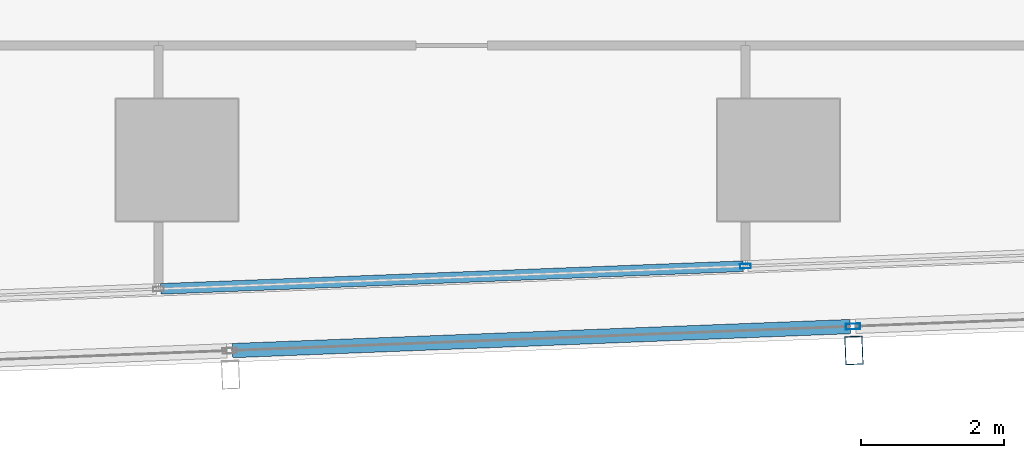
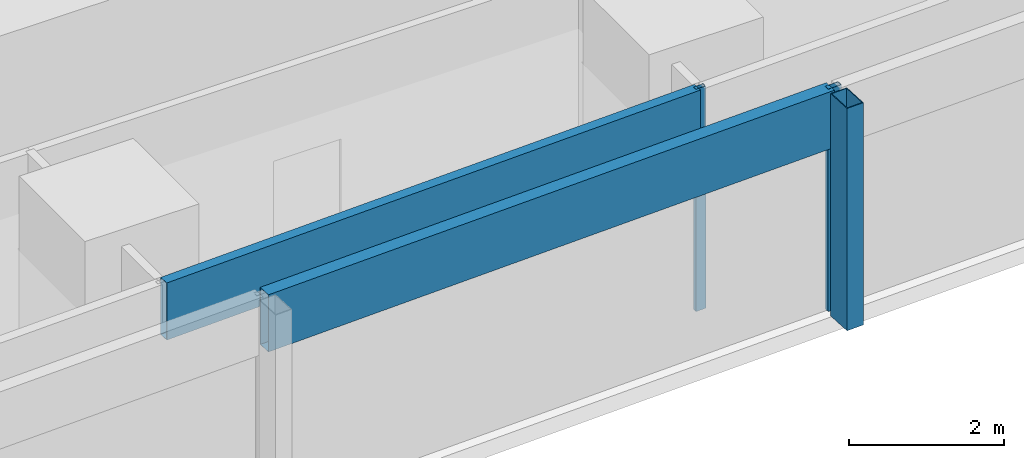
# One storey, part 10 of 40: 5 members, 2 elements without a shape of their own.
"""IFC4 building model written with IfcOpenShell, lengths in metres."""

from ifc_helpers import new_model, si_unit, direction, frame, origin, origin_2d, place, context, subcontext, project, spatial, hollow_rectangle, extrude, material, material_profile, profile_set, type_object, element, aggregate, save


model = new_model("IFC4")

# Units and contexts
model_context = context("Model", 3, precision=1e-05, world=origin(), true_north=direction((0.0, 1.0)))
body_context = subcontext(model_context, "Body", "Model", "MODEL_VIEW")
ifc_project = project(units=[si_unit("LENGTHUNIT", "METRE"), si_unit("AREAUNIT", "SQUARE_METRE"), si_unit("VOLUMEUNIT", "CUBIC_METRE"), si_unit("PLANEANGLEUNIT", "RADIAN"), si_unit("MASSUNIT", "GRAM", prefix="KILO")], contexts=[model_context])

# Site, building, storey
site_placement = place(None, origin())
site = spatial("IfcSite", under=ifc_project, at=site_placement, CompositionType="ELEMENT")
building_placement = place(site_placement, origin())
building = spatial("IfcBuilding", under=site, at=building_placement, Name="Rekha Terrace Tower", CompositionType="ELEMENT")
storey_placement = place(building_placement, frame((0.0, 0.0, 132.800048828125)))
storey = spatial("IfcBuildingStorey", under=building, at=storey_placement, Name="L33", CompositionType="ELEMENT", Elevation=132.800048828125)

# Curtain wall, member
ifc_material_1 = material(Name="Aluminium framing", Category="aluminium")
curtain_wall_type_1 = type_object("IfcCurtainWallType", Name="CW2 double skin outer glazing", PredefinedType="USERDEFINED", material=ifc_material_1)
curtain_wall_1_placement = place(storey_placement, origin())
curtain_wall_1 = element("IfcCurtainWall", 1, at=curtain_wall_1_placement, inside=storey, type_object=curtain_wall_type_1, Name="CW2 double skin outer glazing", ObjectType="DOUBLE SKIN OUTER GLAZING", PredefinedType="USERDEFINED")
ifc_material_2 = material(Name="Steel S355 with fluorocarbon finish", Category="steel")
ifc_material_profile_1 = material_profile(ifc_material_2, hollow_rectangle(XDim=0.25, YDim=0.39990234375, WallThickness=0.012451171875, at=origin_2d()), Name="RHS400x250x12.5")
ifc_profile_set_1 = profile_set([ifc_material_profile_1], Name="Steel S355 with fluorocarbon finish")
member_type_1 = type_object("IfcMemberType", Name="BL1 facade blade RHS 400 x 250", PredefinedType="USERDEFINED", material=ifc_profile_set_1)
member_1_placement = place(storey_placement, frame((51.4521484375, 14.141845703125, 0.0), z_axis=(0.0, 0.0, 1.0), x_axis=(0.999243494356, 0.038890088543, 0.0)))
member_1 = element("IfcMember", 2, at=member_1_placement, type_object=member_type_1, Name="Facade blade", ObjectType="FACADE BLADE", PredefinedType="USERDEFINED", context=body_context, shape_type="SweptSolid", body=[
    extrude(hollow_rectangle(XDim=0.25, YDim=0.39990234375, WallThickness=0.012451171875, at=origin_2d()), origin(), (0.0, 0.0, 1.0), 3.5),
])

# Curtain wall, members
curtain_wall_type_2 = type_object("IfcCurtainWallType", Name="CW1 double skin inner glazing", PredefinedType="USERDEFINED", material=ifc_material_1)
curtain_wall_2_placement = place(storey_placement, origin())
curtain_wall_2 = element("IfcCurtainWall", 3, at=curtain_wall_2_placement, inside=storey, type_object=curtain_wall_type_2, Name="CW1 double skin inner glazing", ObjectType="DOUBLE SKIN INNER GLAZING", PredefinedType="USERDEFINED")
ifc_material_3 = material(Name="Aluminium mullion section", Category="aluminium")
ifc_material_profile_2 = material_profile(ifc_material_3, hollow_rectangle(XDim=0.06494140625, YDim=0.14990234375, WallThickness=0.00390625, at=origin_2d()), Name="AL RHS 65x150")
ifc_profile_set_2 = profile_set([ifc_material_profile_2], Name="Aluminium mullion section")
member_type_2 = type_object("IfcMemberType", Name="CW1 mullion RHS 65 x 150", PredefinedType="MULLION", material=ifc_profile_set_2)
member_2_placement = place(storey_placement, frame((49.936767578125, 15.31884765625, 0.0), z_axis=(0.0, 0.0, 1.0), x_axis=(-0.038889971345, 0.999243498917, 0.0)))
member_2 = element("IfcMember", 4, at=member_2_placement, type_object=member_type_2, Name="CW1 mullion 4", PredefinedType="MULLION", context=body_context, shape_type="SweptSolid", body=[
    extrude(hollow_rectangle(XDim=0.06494140625, YDim=0.14990234375, WallThickness=0.00390625, at=origin_2d()), origin(), (0.0, 0.0, 1.0), 3.5),
])
ifc_material_4 = material(Name="Insulated aluminium spandrel box", Category="aluminium")
ifc_material_profile_3 = material_profile(ifc_material_4, hollow_rectangle(XDim=0.14990234375, YDim=0.89990234375, WallThickness=0.0029296875, at=origin_2d()), Name="AL SPANDREL BOX 150x900")
ifc_profile_set_3 = profile_set([ifc_material_profile_3], Name="Insulated aluminium spandrel box")
member_type_3 = type_object("IfcMemberType", Name="CW1 spandrel transom 150 x 900", PredefinedType="USERDEFINED", material=ifc_profile_set_3)
member_3_placement = place(storey_placement, frame((41.772705078125, 15.001220703125, 3.050048828125), z_axis=(0.999243835719, 0.038881316573, 0.0), x_axis=(-0.038881316573, 0.999243835719, 0.0)))
member_3 = element("IfcMember", 5, at=member_3_placement, type_object=member_type_3, Name="CW1 spandrel transom 3", ObjectType="TRANSOM", PredefinedType="USERDEFINED", context=body_context, shape_type="SweptSolid", body=[
    extrude(hollow_rectangle(XDim=0.14990234375, YDim=0.89990234375, WallThickness=0.0029296875, at=origin_2d()), origin(), (0.0, 0.0, 1.0), 8.1376953125),
])
aggregate(curtain_wall_2, [member_2, member_3])

# Member
ifc_material_profile_4 = material_profile(ifc_material_3, hollow_rectangle(XDim=0.080078125, YDim=0.199951171875, WallThickness=0.00390625, at=origin_2d()), Name="AL RHS 80x200")
ifc_profile_set_4 = profile_set([ifc_material_profile_4], Name="Aluminium mullion section")
member_type_4 = type_object("IfcMemberType", Name="CW2 mullion RHS 80 x 200", PredefinedType="MULLION", material=ifc_profile_set_4)
member_4_placement = place(storey_placement, frame((51.439208984375, 14.4765625, 0.0), z_axis=(0.0, 0.0, 1.0), x_axis=(-0.038889971345, 0.999243498917, 0.0)))
member_4 = element("IfcMember", 6, at=member_4_placement, type_object=member_type_4, Name="CW2 mullion 4", PredefinedType="MULLION", context=body_context, shape_type="SweptSolid", body=[
    extrude(hollow_rectangle(XDim=0.080078125, YDim=0.199951171875, WallThickness=0.00390625, at=origin_2d()), origin(), (0.0, 0.0, 1.0), 3.5),
])

ifc_material_profile_5 = material_profile(ifc_material_4, hollow_rectangle(XDim=0.199951171875, YDim=0.89990234375, WallThickness=0.0029296875, at=origin_2d()), Name="AL SPANDREL BOX 200x900")
ifc_profile_set_5 = profile_set([ifc_material_profile_5], Name="Insulated aluminium spandrel box")
member_type_5 = type_object("IfcMemberType", Name="CW2 spandrel transom 200 x 900", PredefinedType="USERDEFINED", material=ifc_profile_set_5)
member_5_placement = place(storey_placement, frame((42.774169921875, 14.139404296875, 3.050048828125), z_axis=(0.999243438523, 0.038891523097, 0.0), x_axis=(-0.038891523097, 0.999243438523, 0.0)))
member_5 = element("IfcMember", 7, at=member_5_placement, type_object=member_type_5, Name="CW2 spandrel transom 3", ObjectType="TRANSOM", PredefinedType="USERDEFINED", context=body_context, shape_type="SweptSolid", body=[
    extrude(hollow_rectangle(XDim=0.199951171875, YDim=0.89990234375, WallThickness=0.0029296875, at=origin_2d()), origin(), (0.0, 0.0, 1.0), 8.631591796875),
])

aggregate(curtain_wall_1, [member_4, member_5, member_1])

save(model, "model.ifc")
